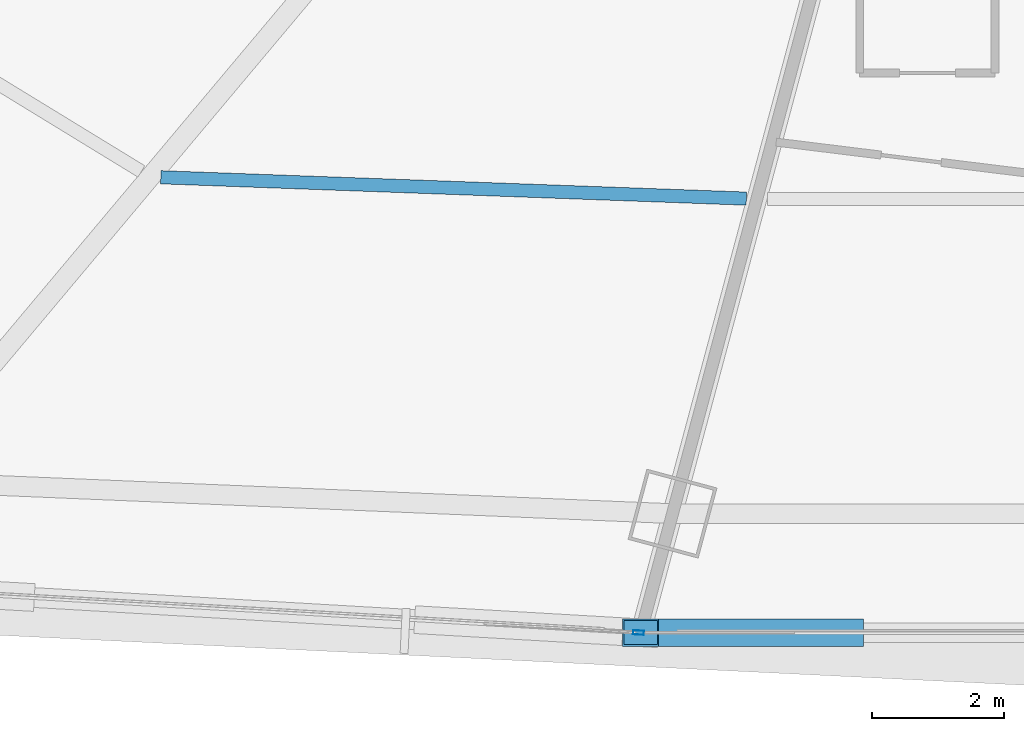
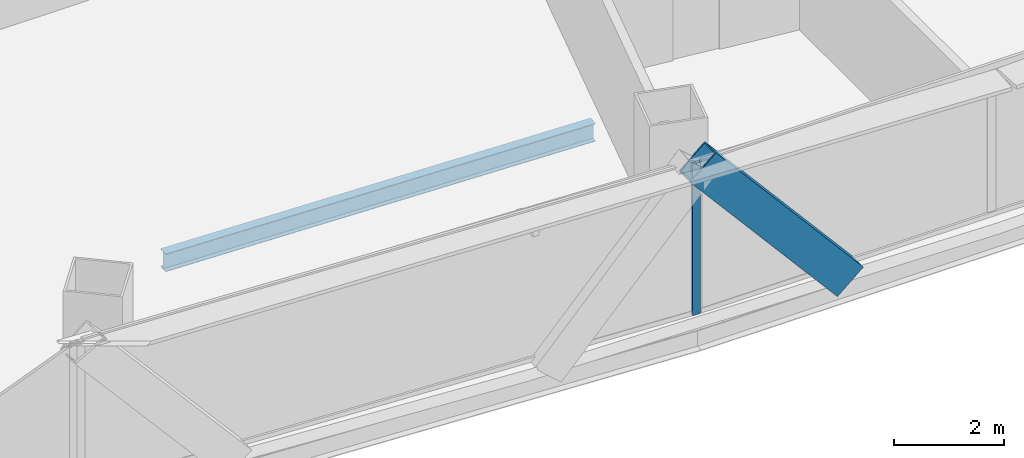
# One storey, part 8 of 38: 2 members, 1 beam, 1 element without a shape of its own.
"""IFC4 building model written with IfcOpenShell, lengths in metres."""

from ifc_helpers import new_model, si_unit, direction, frame, origin, origin_2d, place, context, subcontext, project, spatial, hollow_rectangle, i_section, extrude, source, transform, mapped, material, layer, layer_set, material_profile, profile_set, type_object, element, aggregate, save


model = new_model("IFC4")

# Units and contexts
model_context = context("Model", 3, precision=1e-05, world=origin(), true_north=direction((0.0, 1.0)))
body_context = subcontext(model_context, "Body", "Model", "MODEL_VIEW")
ifc_project = project(units=[si_unit("LENGTHUNIT", "METRE"), si_unit("AREAUNIT", "SQUARE_METRE"), si_unit("VOLUMEUNIT", "CUBIC_METRE"), si_unit("PLANEANGLEUNIT", "RADIAN"), si_unit("MASSUNIT", "GRAM", prefix="KILO"), si_unit("THERMODYNAMICTEMPERATUREUNIT", "KELVIN"), si_unit("POWERUNIT", "WATT")], contexts=[model_context])

# Site, building, storey
site_placement = place(None, origin())
site = spatial("IfcSite", under=ifc_project, at=site_placement, CompositionType="ELEMENT")
building_placement = place(site_placement, origin())
building = spatial("IfcBuilding", under=site, at=building_placement, Name="Yunzhuo Pagoda Commons", CompositionType="ELEMENT")
storey_placement = place(building_placement, frame((0.0, 0.0, 30.39990234375)))
storey = spatial("IfcBuildingStorey", under=building, at=storey_placement, Name="L07", CompositionType="ELEMENT", Elevation=30.39990234375)

# Beam
ifc_material_1 = material(Name="Structural steel Q355B", Category="steel")
ifc_material_profile_1 = material_profile(ifc_material_1, i_section(OverallWidth=0.199951171875, OverallDepth=0.39990234375, WebThickness=0.008056640625, FlangeThickness=0.012939453125, at=origin_2d()), Name="Structural steel Q355B")
ifc_profile_set_1 = profile_set([ifc_material_profile_1], Name="Structural steel Q355B")
beam_type = type_object("IfcBeamType", Name="B-JS1 Joist HN 400x200x8x13", PredefinedType="JOIST", material=ifc_profile_set_1)
shared_shape_1 = source(origin(), body_context, "Body", "SweptSolid", [
    extrude(i_section(OverallWidth=0.199951171875, OverallDepth=0.39990234375, WebThickness=0.008056640625, FlangeThickness=0.012939453125, at=origin_2d()), origin(), (0.0, 0.0, 1.0), 8.876953125),
])
beam_placement = place(storey_placement, frame((34.527099609375, 17.448486328125, -0.4599609375), z_axis=(0.999335806416, -0.036440993601, 0.0), x_axis=(0.036440993601, 0.999335806416, 0.0)))
element("IfcBeam", 1, at=beam_placement, inside=storey, type_object=beam_type, Name="L07 composite ring joist 2.1", PredefinedType="JOIST", context=body_context, shape_type="MappedRepresentation", body=[
    mapped(shared_shape_1, transform((0.0, 0.0, 0.0), scale=1.0)),
])

# Member
ifc_material_2 = material(Name="Structural steel Q420B", Category="steel")
ifc_material_profile_2 = material_profile(ifc_material_2, hollow_rectangle(XDim=0.419921875, YDim=0.719970703125, WallThickness=0.028076171875, at=origin_2d()), Name="Structural steel Q420B")
ifc_profile_set_2 = profile_set([ifc_material_profile_2], Name="Structural steel Q420B")
member_type_1 = type_object("IfcMemberType", Name="M-DL1 Brace BOX 720x420x28", PredefinedType="BRACE", material=ifc_profile_set_2)
shared_shape_2 = source(origin(), body_context, "Body", "SweptSolid", [
    extrude(hollow_rectangle(XDim=0.419921875, YDim=0.719970703125, WallThickness=0.028076171875, at=origin_2d()), origin(), (0.0, 0.0, 1.0), 4.77490234375),
])
member_1_placement = place(storey_placement, frame((44.898193359375, 10.548095703125, -0.260009765625), z_axis=(-0.649590539187, 0.0, 0.760284243818), x_axis=(0.0, -1.0, 0.0)))
element("IfcMember", 2, at=member_1_placement, inside=storey, type_object=member_type_1, Name="L07 facade diamond brace F1.2L", PredefinedType="BRACE", context=body_context, shape_type="MappedRepresentation", body=[
    mapped(shared_shape_2, transform((0.0, 0.0, 0.0), scale=1.0)),
])

# Curtain wall, member
ifc_material_3 = material(Name="Anodized aluminium 6063-T6", Category="aluminium")
ifc_layer = layer(ifc_material_3, 0.1650390625)
ifc_layer_set = layer_set([ifc_layer], Name="Anodized aluminium 6063-T6")
curtain_wall_type = type_object("IfcCurtainWallType", Name="CW-LOW Low-Zone Ribbon Curtain Wall", PredefinedType="NOTDEFINED", material=ifc_layer_set)
curtain_wall_placement = place(storey_placement, origin())
curtain_wall = element("IfcCurtainWall", 3, at=curtain_wall_placement, inside=storey, type_object=curtain_wall_type, Name="L07 curtain wall CW-L07-F1B2", PredefinedType="NOTDEFINED")
ifc_material_profile_3 = material_profile(ifc_material_3, hollow_rectangle(XDim=0.06494140625, YDim=0.1650390625, WallThickness=0.00390625, at=origin_2d()), Name="Anodized aluminium 6063-T6")
ifc_profile_set_3 = profile_set([ifc_material_profile_3], Name="Anodized aluminium 6063-T6")
member_type_2 = type_object("IfcMemberType", Name="CW-LOW-M Mullion RHS 165x65x4", PredefinedType="MULLION", material=ifc_profile_set_3)
shared_shape_3 = source(origin(), body_context, "Body", "SweptSolid", [
    extrude(hollow_rectangle(XDim=0.06494140625, YDim=0.1650390625, WallThickness=0.00390625, at=origin_2d()), origin(), (0.0, 0.0, 1.0), 3.370361328125),
])
member_2_placement = place(storey_placement, frame((41.76416015625, 10.550048828125, 0.0), z_axis=(0.0, 0.0, 1.0), x_axis=(0.05789866519, 0.998322465223, 0.0)))
member_2 = element("IfcMember", 4, at=member_2_placement, type_object=member_type_2, Name="CW mullion 2", PredefinedType="MULLION", context=body_context, shape_type="MappedRepresentation", body=[
    mapped(shared_shape_3, transform((0.0, 0.0, 0.0), scale=1.0)),
])
aggregate(curtain_wall, [member_2])

save(model, "model.ifc")
